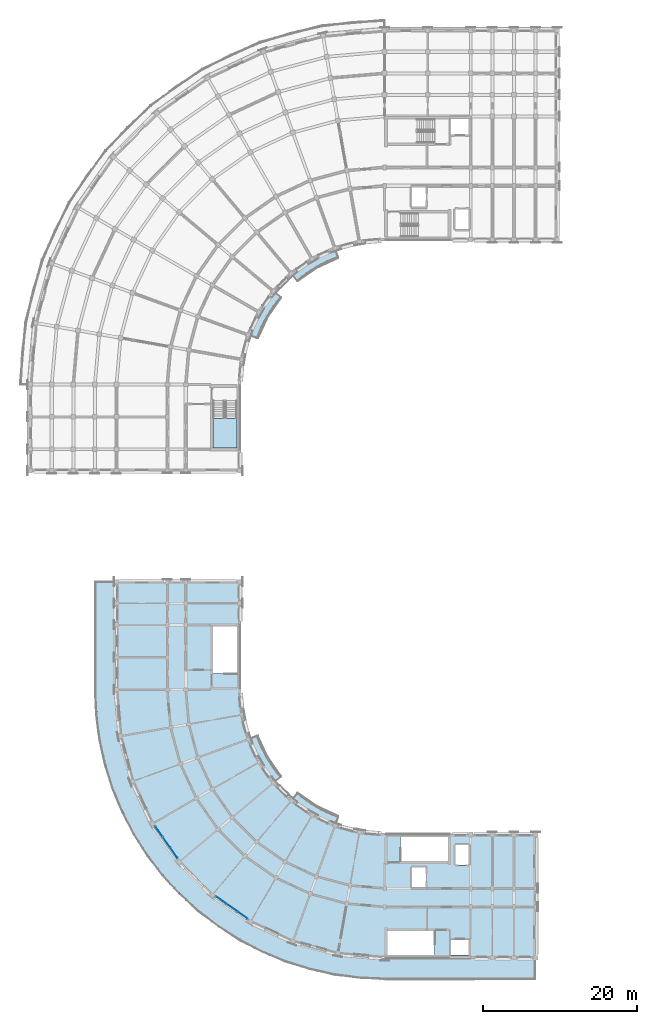
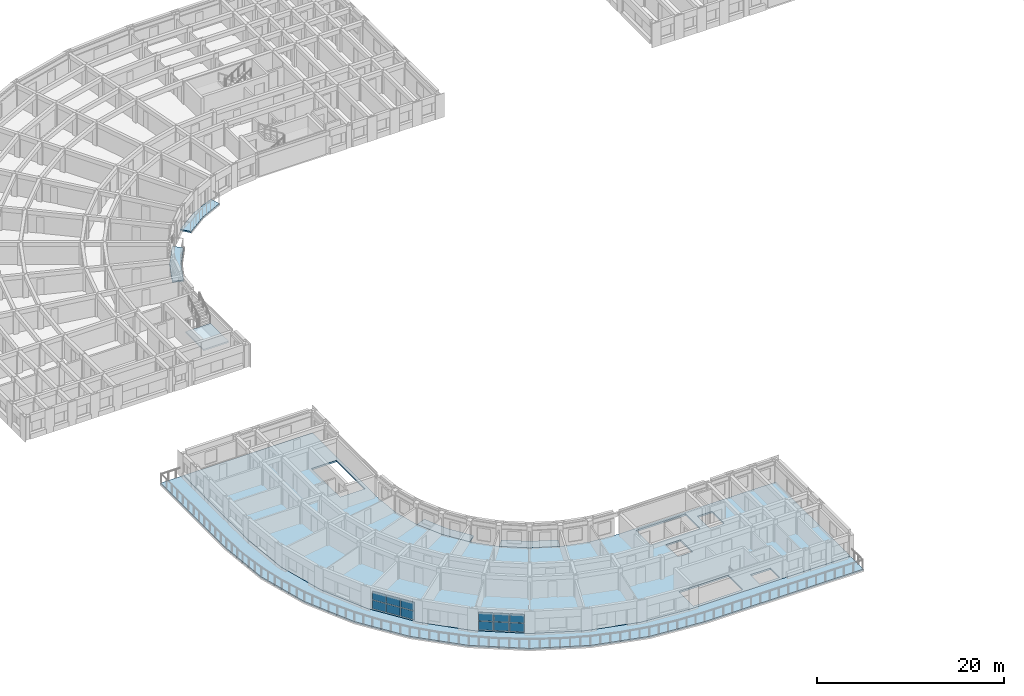
# One storey, part 13 of 53: 12 plates, 7 slabs, 3 elements without a shape of their own.
"""IFC4 building model written with IfcOpenShell, lengths in metres."""

import ifcopenshell
import ifcopenshell.guid

model = None  # the IFC model being written
_history = None  # IfcOwnerHistory: only IFC2X3 demands one
_inside = {}  # id of a spatial element -> (the spatial element, [elements in it])
_under = {}  # id of a project, library or spatial element -> (it, [spatial elements below it])
_declared = {}  # id of a project -> (the project, [libraries it declares])
_typed = {}  # id of a type object -> (the type object, [elements of that type])
_made_of = {}  # id of a material, layer set ... -> (it, [elements and type objects made of it])


def new_model(schema):
    """Start an empty IFC model of exactly this schema.

    Asked for "IFC4X3", IfcOpenShell would pick the latest addendum, in which some entities
    have other attributes; the version numbers below select the first issue.
    IFC2X3 requires an IfcOwnerHistory on every rooted entity: one is made here for all.
    """
    global model, _history
    if schema == "IFC4X3":
        model = ifcopenshell.file(schema_version=(4, 3, 0, 0))
    else:
        model = ifcopenshell.file(schema=schema)
    _inside.clear()
    _under.clear()
    _declared.clear()
    _typed.clear()
    _made_of.clear()
    _history = None
    if model.schema == "IFC2X3":
        org = make("IfcOrganization", Name="unknown")
        user = make(
            "IfcPersonAndOrganization",
            ThePerson=make("IfcPerson", FamilyName="unknown"),
            TheOrganization=org,
        )
        app = make(
            "IfcApplication",
            ApplicationDeveloper=org,
            Version="unknown",
            ApplicationFullName="unknown",
            ApplicationIdentifier="unknown",
        )
        _history = make(
            "IfcOwnerHistory",
            OwningUser=user,
            OwningApplication=app,
            ChangeAction="ADDED",
            CreationDate=0,
        )
    return model


def make(cls, **values):
    """One entity of the class cls with the attributes given. An attribute that is None is left unset."""
    return model.create_entity(
        cls, **{name: value for name, value in values.items() if value is not None}
    )


def rooted(cls, **values):
    """An entity with a GlobalId (a new one), such as an element, a storey or a relation."""
    return make(cls, GlobalId=ifcopenshell.guid.new(), OwnerHistory=_history, **values)


def si_unit(unit_type, name, prefix=None):
    """IfcSIUnit, for example si_unit("LENGTHUNIT", "METRE", prefix="MILLI")."""
    return make("IfcSIUnit", UnitType=unit_type, Prefix=prefix, Name=name)


def assignment(units):
    """IfcUnitAssignment: the units of a project."""
    return None if units is None else make("IfcUnitAssignment", Units=units)


def point(xyz):
    """IfcCartesianPoint."""
    return None if xyz is None else make("IfcCartesianPoint", Coordinates=xyz)


def direction(xyz):
    """IfcDirection."""
    return None if xyz is None else make("IfcDirection", DirectionRatios=xyz)


def frame(location, z_axis=None, x_axis=None):
    """IfcAxis2Placement3D, a coordinate frame: its origin and axes. An axis left out is left unset."""
    return make(
        "IfcAxis2Placement3D",
        Location=point(location),
        Axis=direction(z_axis),
        RefDirection=direction(x_axis),
    )


def frame_2d(location, x_axis=None):
    """IfcAxis2Placement2D, a coordinate frame in the plane: its origin and x axis."""
    return make(
        "IfcAxis2Placement2D", Location=point(location), RefDirection=direction(x_axis)
    )


def origin():
    """The frame at (0, 0, 0) with its axes left unset."""
    return frame((0.0, 0.0, 0.0))


def origin_2d():
    """The frame at (0, 0) in the plane with its x axis left unset."""
    return frame_2d((0.0, 0.0))


def place(relative_to, where):
    """IfcLocalPlacement: puts the frame where relative to a parent placement (None: the world)."""
    return make(
        "IfcLocalPlacement", PlacementRelTo=relative_to, RelativePlacement=where
    )


def context(
    kind, dimensions, precision=None, world=None, true_north=None, identifier=None
):
    """IfcGeometricRepresentationContext, for example the 3D "Model" context."""
    return make(
        "IfcGeometricRepresentationContext",
        ContextIdentifier=identifier,
        ContextType=kind,
        CoordinateSpaceDimension=dimensions,
        Precision=precision,
        WorldCoordinateSystem=world,
        TrueNorth=true_north,
    )


def subcontext(parent, identifier, kind, view, scale=None):
    """IfcGeometricRepresentationSubContext, for example "Body" below "Model"."""
    return make(
        "IfcGeometricRepresentationSubContext",
        ContextIdentifier=identifier,
        ContextType=kind,
        ParentContext=parent,
        TargetScale=scale,
        TargetView=view,
    )


def project(units=None, contexts=None):
    """IfcProject with its units and contexts."""
    return rooted(
        "IfcProject",
        Name="project",
        RepresentationContexts=contexts,
        UnitsInContext=assignment(units),
    )


def spatial(cls, under=None, at=None, **own):
    """A site, building, storey or space (cls), placed at a placement, below another one or the project."""
    s = rooted(cls, ObjectPlacement=at, **own)
    if under is not None:
        _under.setdefault(under.id(), (under, []))[1].append(s)
    return s


def polyline(points):
    """IfcPolyline through the points."""
    return make("IfcPolyline", Points=[point(p) for p in points])


def profile(cls, at=None, kind="AREA", **sizes):
    """A parametric profile (cls). Its sizes go by their IFC names, for example OverallWidth=200.0."""
    return make(cls, ProfileType=kind, Position=at, **sizes)


def rectangle(**sizes):
    """IfcRectangleProfileDef."""
    return profile("IfcRectangleProfileDef", **sizes)


def outline(outer, holes=None, kind="AREA"):
    """IfcArbitraryClosedProfileDef: a profile drawn as a closed curve; with holes, ...WithVoids."""
    if holes is None:
        return make("IfcArbitraryClosedProfileDef", ProfileType=kind, OuterCurve=outer)
    return make(
        "IfcArbitraryProfileDefWithVoids",
        ProfileType=kind,
        OuterCurve=outer,
        InnerCurves=holes,
    )


def extrude(swept, where, along, depth):
    """IfcExtrudedAreaSolid: the profile swept, set in the frame where, extruded along a direction by depth."""
    return make(
        "IfcExtrudedAreaSolid",
        SweptArea=swept,
        Position=where,
        ExtrudedDirection=direction(along),
        Depth=depth,
    )


def shape(context_of_items, identifier, shape_type, items):
    """IfcShapeRepresentation: the items that make up one representation, for example the "Body"."""
    return make(
        "IfcShapeRepresentation",
        ContextOfItems=context_of_items,
        RepresentationIdentifier=identifier,
        RepresentationType=shape_type,
        Items=items,
    )


def material(Name=None, Category=None):
    """IfcMaterial."""
    return make("IfcMaterial", Name=Name, Category=Category)


def layer(
    of_material, thickness, ventilated=None, Name=None, Category=None, Priority=None
):
    """IfcMaterialLayer: one layer of a wall or slab, of a material (None: an air gap)."""
    return make(
        "IfcMaterialLayer",
        Material=of_material,
        LayerThickness=thickness,
        IsVentilated=ventilated,
        Name=Name,
        Category=Category,
        Priority=Priority,
    )


def layer_set(layers, Name=None):
    """IfcMaterialLayerSet."""
    return make("IfcMaterialLayerSet", MaterialLayers=layers, LayerSetName=Name)


def made_of(thing, what):
    """Note that an element or type object is made of a material, layer set ...; save() writes the relation."""
    if what is not None:
        _made_of.setdefault(what.id(), (what, []))[1].append(thing)
    return thing


def type_object(cls, material=None, **own):
    """A type object (cls), such as IfcWallType, which elements share."""
    return made_of(rooted(cls, **own), material)


def element(
    cls,
    number,
    at=None,
    inside=None,
    cuts=None,
    type_object=None,
    material=None,
    context=None,
    identifier="Body",
    shape_type=None,
    held_by="IfcProductDefinitionShape",
    body=None,
    shapes=None,
    **own,
):
    """One element of the class cls, such as IfcWall. Its Tag is "e" and its number.

    at: its placement. inside: the storey or other place that contains it. cuts: it is an
    opening in that element (IfcRelVoidsElement). A single representation is given by context,
    identifier, shape_type and body (its items); several are given by shapes. held_by: the class
    of the entity that holds the representations. save() writes the other relations.
    """
    e = rooted(cls, Tag="e%d" % number, ObjectPlacement=at, **own)
    if body is not None:
        shapes = [shape(context, identifier, shape_type, body)]
    if shapes is not None:
        e.Representation = make(held_by, Representations=shapes)
    if inside is not None:
        _inside.setdefault(inside.id(), (inside, []))[1].append(e)
    if cuts is not None:
        rooted(
            "IfcRelVoidsElement", RelatingBuildingElement=cuts, RelatedOpeningElement=e
        )
    if type_object is not None:
        _typed.setdefault(type_object.id(), (type_object, []))[1].append(e)
    return made_of(e, material)


def aggregate(whole, parts):
    """IfcRelAggregates: a whole, such as a stair, and the parts it consists of."""
    return rooted("IfcRelAggregates", RelatingObject=whole, RelatedObjects=parts)


def save(model, path):
    """Write the relations noted so far, then the file.

    IfcRelAggregates (storeys below a building ...), IfcRelContainedInSpatialStructure (elements
    in a storey), IfcRelDefinesByType, IfcRelAssociatesMaterial and IfcRelDeclares: one each for
    every whole, place, type object, material and project.
    """
    for whole, parts in _under.values():
        aggregate(whole, parts)
    for where, things in _inside.values():
        rooted(
            "IfcRelContainedInSpatialStructure",
            RelatedElements=things,
            RelatingStructure=where,
        )
    for kind, things in _typed.values():
        rooted("IfcRelDefinesByType", RelatedObjects=things, RelatingType=kind)
    for what, things in _made_of.values():
        rooted("IfcRelAssociatesMaterial", RelatedObjects=things, RelatingMaterial=what)
    for by, libraries in _declared.values():
        rooted("IfcRelDeclares", RelatingContext=by, RelatedDefinitions=libraries)
    model.write(path)


model = new_model("IFC4")

# Units and contexts
model_context = context("Model", 3, precision=1e-05, world=origin(), true_north=direction((0.0, 1.0)))
body_context = subcontext(model_context, "Body", "Model", "MODEL_VIEW")
ifc_project = project(units=[si_unit("LENGTHUNIT", "METRE"), si_unit("AREAUNIT", "SQUARE_METRE"), si_unit("VOLUMEUNIT", "CUBIC_METRE"), si_unit("PLANEANGLEUNIT", "RADIAN"), si_unit("MASSUNIT", "GRAM", prefix="KILO")], contexts=[model_context])

# Site, building, storey
site_placement = place(None, origin())
site = spatial("IfcSite", under=ifc_project, at=site_placement, CompositionType="ELEMENT")
building_placement = place(site_placement, origin())
building = spatial("IfcBuilding", under=site, at=building_placement, Name="Kiranvali Square Residences", CompositionType="ELEMENT")
storey_placement = place(building_placement, frame((0.0, 0.0, 30.75)))
storey = spatial("IfcBuildingStorey", under=building, at=storey_placement, Name="L09", CompositionType="ELEMENT", Elevation=30.75)

# Curtain wall, plates
ifc_material_1 = material(Name="Anodised bronze aluminium framing", Category="aluminium")
curtain_wall_type = type_object("IfcCurtainWallType", Name="CW-RES-LOG", PredefinedType="USERDEFINED", material=ifc_material_1)
curtain_wall_1_placement = place(storey_placement, origin())
curtain_wall_1 = element("IfcCurtainWall", 1, at=curtain_wall_1_placement, inside=storey, type_object=curtain_wall_type, Name="Block C L09 stepped curved terrace loggia 4", ObjectType="CURTAIN WALL", PredefinedType="USERDEFINED")
ifc_material_2 = material(Name="Solar-control low-e double glazing", Category="glass")
ifc_layer_1 = layer(ifc_material_2, 0.028076171875)
ifc_layer_set_1 = layer_set([ifc_layer_1], Name="Solar-control low-e double glazing")
plate_type = type_object("IfcPlateType", Name="PLT-CW-GLZ", PredefinedType="CURTAIN_PANEL", material=ifc_layer_set_1)
plate_1_placement = place(storey_placement, frame((29.76220703125, 18.935546875, 0.080078125), z_axis=(0.0, 0.0, 1.0), x_axis=(-0.819152044289, 0.573576436351, 0.0)))
plate_1 = element("IfcPlate", 2, at=plate_1_placement, type_object=plate_type, Name="CW-C-L09-TER-03 glazed panel 1.1", PredefinedType="CURTAIN_PANEL", context=body_context, shape_type="SweptSolid", body=[
    extrude(rectangle(XDim=1.60205078125, YDim=0.028076171875, at=origin_2d()), origin(), (0.0, 0.0, 1.0), 1.110107421875),
])
plate_2_placement = place(storey_placement, frame((29.76220703125, 18.935546875, 1.27001953125), z_axis=(0.0, 0.0, 1.0), x_axis=(-0.819152044289, 0.573576436351, 0.0)))
plate_2 = element("IfcPlate", 3, at=plate_2_placement, type_object=plate_type, Name="CW-C-L09-TER-03 glazed panel 1.2", PredefinedType="CURTAIN_PANEL", context=body_context, shape_type="SweptSolid", body=[
    extrude(rectangle(XDim=1.60205078125, YDim=0.028076171875, at=origin_2d()), origin(), (0.0, 0.0, 1.0), 1.110107421875),
])
plate_3_placement = place(storey_placement, frame((28.38427734375, 19.900390625, 0.080078125), z_axis=(0.0, 0.0, 1.0), x_axis=(-0.819152044289, 0.573576436351, 0.0)))
plate_3 = element("IfcPlate", 4, at=plate_3_placement, type_object=plate_type, Name="CW-C-L09-TER-03 glazed panel 2.1", PredefinedType="CURTAIN_PANEL", context=body_context, shape_type="SweptSolid", body=[
    extrude(rectangle(XDim=1.60205078125, YDim=0.028076171875, at=origin_2d()), origin(), (0.0, 0.0, 1.0), 1.110107421875),
])
plate_4_placement = place(storey_placement, frame((28.38427734375, 19.900390625, 1.27001953125), z_axis=(0.0, 0.0, 1.0), x_axis=(-0.819152044289, 0.573576436351, 0.0)))
plate_4 = element("IfcPlate", 5, at=plate_4_placement, type_object=plate_type, Name="CW-C-L09-TER-03 glazed panel 2.2", PredefinedType="CURTAIN_PANEL", context=body_context, shape_type="SweptSolid", body=[
    extrude(rectangle(XDim=1.60205078125, YDim=0.028076171875, at=origin_2d()), origin(), (0.0, 0.0, 1.0), 1.110107421875),
])
plate_5_placement = place(storey_placement, frame((27.006591796875, 20.864990234375, 0.080078125), z_axis=(0.0, 0.0, 1.0), x_axis=(-0.819152044289, 0.573576436351, 0.0)))
plate_5 = element("IfcPlate", 6, at=plate_5_placement, type_object=plate_type, Name="CW-C-L09-TER-03 glazed panel 3.1", PredefinedType="CURTAIN_PANEL", context=body_context, shape_type="SweptSolid", body=[
    extrude(rectangle(XDim=1.60205078125, YDim=0.028076171875, at=origin_2d()), origin(), (0.0, 0.0, 1.0), 1.110107421875),
])
plate_6_placement = place(storey_placement, frame((27.006591796875, 20.864990234375, 1.27001953125), z_axis=(0.0, 0.0, 1.0), x_axis=(-0.819152044289, 0.573576436351, 0.0)))
plate_6 = element("IfcPlate", 7, at=plate_6_placement, type_object=plate_type, Name="CW-C-L09-TER-03 glazed panel 3.2", PredefinedType="CURTAIN_PANEL", context=body_context, shape_type="SweptSolid", body=[
    extrude(rectangle(XDim=1.60205078125, YDim=0.028076171875, at=origin_2d()), origin(), (0.0, 0.0, 1.0), 1.110107421875),
])
aggregate(curtain_wall_1, [plate_1, plate_2, plate_3, plate_4, plate_5, plate_6])

curtain_wall_2_placement = place(storey_placement, origin())
curtain_wall_2 = element("IfcCurtainWall", 8, at=curtain_wall_2_placement, inside=storey, type_object=curtain_wall_type, Name="Block C L09 stepped curved terrace loggia 6", ObjectType="CURTAIN WALL", PredefinedType="USERDEFINED")
plate_7_placement = place(storey_placement, frame((20.864990234375, 27.006591796875, 0.080078125), z_axis=(0.0, 0.0, 1.0), x_axis=(-0.573576436351, 0.819152044289, 0.0)))
plate_7 = element("IfcPlate", 9, at=plate_7_placement, type_object=plate_type, Name="CW-C-L09-TER-05 glazed panel 1.1", PredefinedType="CURTAIN_PANEL", context=body_context, shape_type="SweptSolid", body=[
    extrude(rectangle(XDim=1.60205078125, YDim=0.028076171875, at=origin_2d()), origin(), (0.0, 0.0, 1.0), 1.110107421875),
])
plate_8_placement = place(storey_placement, frame((20.864990234375, 27.006591796875, 1.27001953125), z_axis=(0.0, 0.0, 1.0), x_axis=(-0.573576436351, 0.819152044289, 0.0)))
plate_8 = element("IfcPlate", 10, at=plate_8_placement, type_object=plate_type, Name="CW-C-L09-TER-05 glazed panel 1.2", PredefinedType="CURTAIN_PANEL", context=body_context, shape_type="SweptSolid", body=[
    extrude(rectangle(XDim=1.60205078125, YDim=0.028076171875, at=origin_2d()), origin(), (0.0, 0.0, 1.0), 1.110107421875),
])
plate_9_placement = place(storey_placement, frame((19.900390625, 28.38427734375, 0.080078125), z_axis=(0.0, 0.0, 1.0), x_axis=(-0.573576436351, 0.819152044289, 0.0)))
plate_9 = element("IfcPlate", 11, at=plate_9_placement, type_object=plate_type, Name="CW-C-L09-TER-05 glazed panel 2.1", PredefinedType="CURTAIN_PANEL", context=body_context, shape_type="SweptSolid", body=[
    extrude(rectangle(XDim=1.60205078125, YDim=0.028076171875, at=origin_2d()), origin(), (0.0, 0.0, 1.0), 1.110107421875),
])
plate_10_placement = place(storey_placement, frame((19.900390625, 28.38427734375, 1.27001953125), z_axis=(0.0, 0.0, 1.0), x_axis=(-0.573576436351, 0.819152044289, 0.0)))
plate_10 = element("IfcPlate", 12, at=plate_10_placement, type_object=plate_type, Name="CW-C-L09-TER-05 glazed panel 2.2", PredefinedType="CURTAIN_PANEL", context=body_context, shape_type="SweptSolid", body=[
    extrude(rectangle(XDim=1.60205078125, YDim=0.028076171875, at=origin_2d()), origin(), (0.0, 0.0, 1.0), 1.110107421875),
])
plate_11_placement = place(storey_placement, frame((18.935546875, 29.76220703125, 0.080078125), z_axis=(0.0, 0.0, 1.0), x_axis=(-0.573576436351, 0.819152044289, 0.0)))
plate_11 = element("IfcPlate", 13, at=plate_11_placement, type_object=plate_type, Name="CW-C-L09-TER-05 glazed panel 3.1", PredefinedType="CURTAIN_PANEL", context=body_context, shape_type="SweptSolid", body=[
    extrude(rectangle(XDim=1.60205078125, YDim=0.028076171875, at=origin_2d()), origin(), (0.0, 0.0, 1.0), 1.110107421875),
])
plate_12_placement = place(storey_placement, frame((18.935546875, 29.76220703125, 1.27001953125), z_axis=(0.0, 0.0, 1.0), x_axis=(-0.573576436351, 0.819152044289, 0.0)))
plate_12 = element("IfcPlate", 14, at=plate_12_placement, type_object=plate_type, Name="CW-C-L09-TER-05 glazed panel 3.2", PredefinedType="CURTAIN_PANEL", context=body_context, shape_type="SweptSolid", body=[
    extrude(rectangle(XDim=1.60205078125, YDim=0.028076171875, at=origin_2d()), origin(), (0.0, 0.0, 1.0), 1.110107421875),
])
aggregate(curtain_wall_2, [plate_7, plate_8, plate_9, plate_10, plate_11, plate_12])

# Slabs
ifc_material_3 = material(Name="Concrete M35 (35 MPa)", Category="concrete")
ifc_layer_2 = layer(ifc_material_3, 0.219970703125)
ifc_layer_set_2 = layer_set([ifc_layer_2], Name="Concrete M35 (35 MPa)")
slab_type_1 = type_object("IfcSlabType", Name="SLB-FLR-220", PredefinedType="FLOOR", material=ifc_layer_set_2)
slab_1_placement = place(storey_placement, frame((0.0, 0.0, -0.219970703125)))
element("IfcSlab", 15, at=slab_1_placement, inside=storey, type_object=slab_type_1, Name="Block C L09 structural floor slab", PredefinedType="FLOOR", context=body_context, shape_type="SweptSolid", body=[
    extrude(outline(polyline([(48.199951171875, 29.39990234375), (44.935302734375, 29.685546875), (41.77001953125, 30.53369140625), (38.800048828125, 31.918701171875), (36.115478515625, 33.79833984375), (33.79833984375, 36.115478515625), (31.918701171875, 38.800048828125), (30.53369140625, 41.77001953125), (29.685546875, 44.935302734375), (29.39990234375, 48.199951171875), (29.39990234375, 62.199951171875), (13.39990234375, 62.199951171875), (13.39990234375, 48.199951171875), (13.9287109375, 42.156982421875), (15.498779296875, 36.297607421875), (18.062255859375, 30.800048828125), (21.541748046875, 25.8310546875), (25.8310546875, 21.541748046875), (30.800048828125, 18.062255859375), (36.297607421875, 15.498779296875), (42.156982421875, 13.9287109375), (48.199951171875, 13.39990234375), (67.800048828125, 13.39990234375), (67.800048828125, 29.39990234375), (48.199951171875, 29.39990234375)]), holes=[polyline([(56.800048828125, 13.75), (59.25, 13.75), (59.25, 15.75), (56.800048828125, 15.75), (56.800048828125, 13.75)]), polyline([(57.35009765625, 25.449951171875), (59.14990234375, 25.449951171875), (59.14990234375, 28.050048828125), (57.35009765625, 28.050048828125), (57.35009765625, 25.449951171875)]), polyline([(51.75, 22.550048828125), (53.550048828125, 22.550048828125), (53.550048828125, 25.14990234375), (51.75, 25.14990234375), (51.75, 22.550048828125)]), polyline([(54.699951171875, 16.85009765625), (48.550048828125, 16.85009765625), (48.550048828125, 13.75), (54.699951171875, 13.75), (54.699951171875, 16.85009765625)]), polyline([(50.300048828125, 25.949951171875), (56.449951171875, 25.949951171875), (56.449951171875, 29.050048828125), (50.300048828125, 29.050048828125), (50.300048828125, 25.949951171875)]), polyline([(29.050048828125, 50.300048828125), (29.050048828125, 56.449951171875), (25.949951171875, 56.449951171875), (25.949951171875, 50.300048828125), (29.050048828125, 50.300048828125)])]), origin(), (0.0, 0.0, 1.0), 0.219970703125),
])
ifc_layer_3 = layer(ifc_material_3, 0.169921875)
ifc_layer_set_3 = layer_set([ifc_layer_3], Name="Concrete M35 (35 MPa)")
slab_type_2 = type_object("IfcSlabType", Name="SLB-GBAL-170", PredefinedType="FLOOR", material=ifc_layer_set_3)
slab_2_placement = place(storey_placement, frame((0.0, 0.0, -0.179931640625)))
element("IfcSlab", 16, at=slab_2_placement, inside=storey, type_object=slab_type_2, Name="Block A L09 garden balcony slab 1", PredefinedType="FLOOR", context=body_context, shape_type="SweptSolid", body=[
    extrude(outline(polyline([(41.77001953125, 105.46630859375), (38.800048828125, 104.081298828125), (36.115478515625, 102.20166015625), (36.919189453125, 101.244140625), (39.425048828125, 102.998779296875), (42.197509765625, 104.29150390625), (41.77001953125, 105.46630859375)])), origin(), (0.0, 0.0, 1.0), 0.179931640625),
])
slab_3_placement = place(storey_placement, frame((0.0, 0.0, -0.179931640625)))
element("IfcSlab", 17, at=slab_3_placement, inside=storey, type_object=slab_type_2, Name="Block A L09 garden balcony slab 2", PredefinedType="FLOOR", context=body_context, shape_type="SweptSolid", body=[
    extrude(outline(polyline([(33.79833984375, 99.884521484375), (31.918701171875, 97.199951171875), (30.53369140625, 94.22998046875), (31.70849609375, 93.802490234375), (33.001220703125, 96.574951171875), (34.755859375, 99.080810546875), (33.79833984375, 99.884521484375)])), origin(), (0.0, 0.0, 1.0), 0.179931640625),
])
slab_4_placement = place(storey_placement, frame((0.0, 0.0, -0.179931640625)))
element("IfcSlab", 18, at=slab_4_placement, inside=storey, type_object=slab_type_2, Name="Block C L09 garden balcony slab 1", PredefinedType="FLOOR", context=body_context, shape_type="SweptSolid", body=[
    extrude(outline(polyline([(42.197509765625, 31.70849609375), (39.425048828125, 33.001220703125), (36.919189453125, 34.755859375), (36.115478515625, 33.79833984375), (38.800048828125, 31.918701171875), (41.77001953125, 30.53369140625), (42.197509765625, 31.70849609375)])), origin(), (0.0, 0.0, 1.0), 0.179931640625),
])
slab_5_placement = place(storey_placement, frame((0.0, 0.0, -0.179931640625)))
element("IfcSlab", 19, at=slab_5_placement, inside=storey, type_object=slab_type_2, Name="Block C L09 garden balcony slab 2", PredefinedType="FLOOR", context=body_context, shape_type="SweptSolid", body=[
    extrude(outline(polyline([(34.755859375, 36.919189453125), (33.001220703125, 39.425048828125), (31.70849609375, 42.197509765625), (30.53369140625, 41.77001953125), (31.918701171875, 38.800048828125), (33.79833984375, 36.115478515625), (34.755859375, 36.919189453125)])), origin(), (0.0, 0.0, 1.0), 0.179931640625),
])

# Stair, slab
stair_type = type_object("IfcStairType", Name="ST-CORE-1700", PredefinedType="HALF_TURN_STAIR", material=ifc_material_3)
stair_placement = place(storey_placement, origin())
stair = element("IfcStair", 20, at=stair_placement, inside=storey, type_object=stair_type, Name="L09 Block A Wing Protected Exit Stair 3", PredefinedType="HALF_TURN_STAIR")
ifc_layer_4 = layer(ifc_material_3, 0.199951171875)
ifc_layer_set_4 = layer_set([ifc_layer_4], Name="Concrete M35 (35 MPa)")
slab_type_3 = type_object("IfcSlabType", Name="SLB-LND-200", PredefinedType="LANDING", material=ifc_layer_set_4)
slab_6_placement = place(storey_placement, frame((0.0, 0.0, 1.375)))
slab_6 = element("IfcSlab", 21, at=slab_6_placement, type_object=slab_type_3, Name="ST-A3 landing 1", PredefinedType="LANDING", context=body_context, shape_type="SweptSolid", body=[
    extrude(outline(polyline([(25.949951171875, 83.419921875), (25.949951171875, 79.550048828125), (29.050048828125, 79.550048828125), (29.050048828125, 83.419921875), (25.949951171875, 83.419921875)])), origin(), (0.0, 0.0, 1.0), 0.199951171875),
])
aggregate(stair, [slab_6])

# Slab
ifc_layer_5 = layer(ifc_material_3, 0.18994140625)
ifc_layer_set_5 = layer_set([ifc_layer_5], Name="Concrete M35 (35 MPa)")
slab_type_4 = type_object("IfcSlabType", Name="SLB-TER-190", PredefinedType="FLOOR", material=ifc_layer_set_5)
slab_7_placement = place(storey_placement, frame((0.0, 0.0, -0.179931640625)))
element("IfcSlab", 22, at=slab_7_placement, inside=storey, type_object=slab_type_4, Name="Block C L09 stepped curved corner balcony terrace slab", PredefinedType="FLOOR", context=body_context, shape_type="SweptSolid", body=[
    extrude(outline(polyline([(67.800048828125, 13.39990234375), (48.199951171875, 13.39990234375), (42.156982421875, 13.9287109375), (36.297607421875, 15.498779296875), (30.800048828125, 18.062255859375), (25.8310546875, 21.541748046875), (21.541748046875, 25.8310546875), (18.062255859375, 30.800048828125), (15.498779296875, 36.297607421875), (13.9287109375, 42.156982421875), (13.39990234375, 48.199951171875), (13.39990234375, 62.199951171875), (10.60009765625, 62.199951171875), (10.60009765625, 48.199951171875), (11.171142578125, 41.6708984375), (12.86767578125, 35.340087890625), (15.637451171875, 29.39990234375), (19.396728515625, 24.03125), (24.03125, 19.396728515625), (29.39990234375, 15.637451171875), (35.340087890625, 12.86767578125), (41.6708984375, 11.171142578125), (48.199951171875, 10.60009765625), (67.800048828125, 10.60009765625), (67.800048828125, 13.39990234375)])), origin(), (0.0, 0.0, 1.0), 0.179931640625),
])

save(model, "model.ifc")
